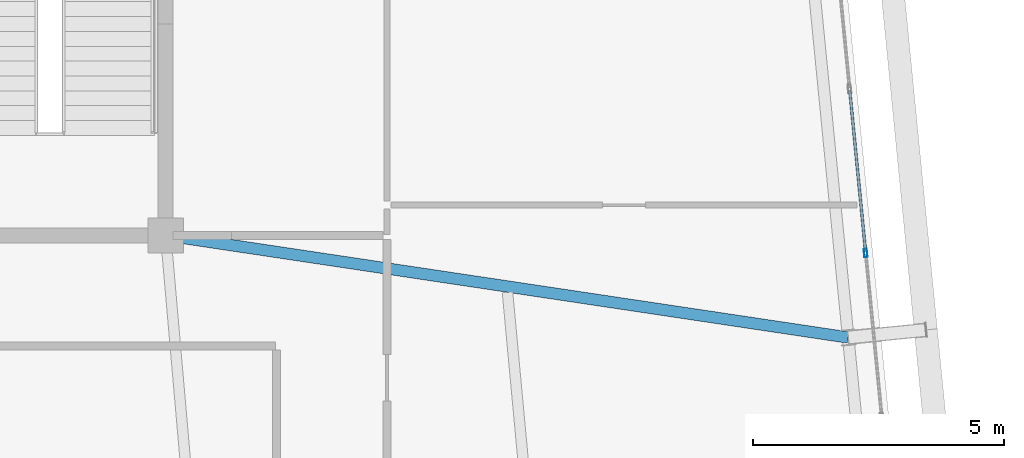
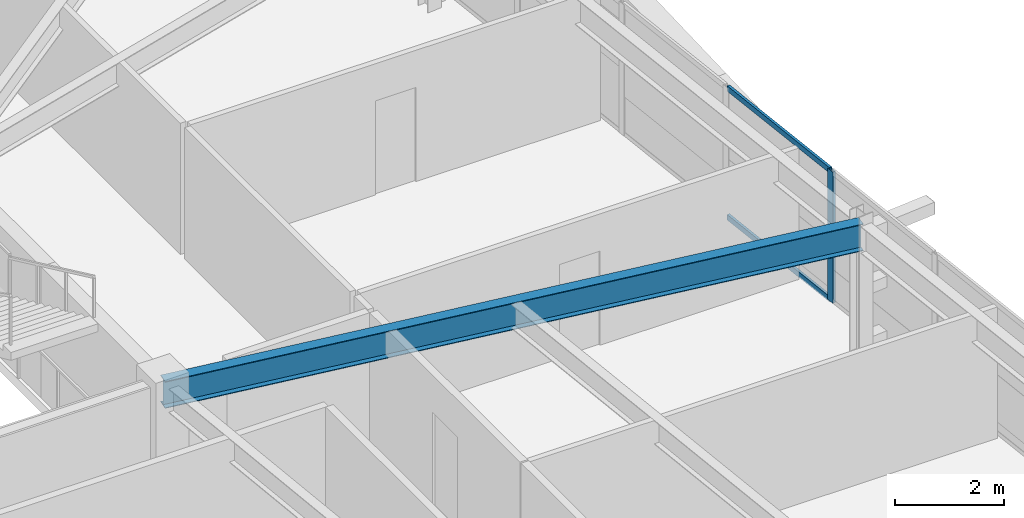
# One storey, part 25 of 52: 3 members, 1 beam, 1 element without a shape of its own.
"""IFC4 building model written with IfcOpenShell, lengths in metres."""

from ifc_helpers import new_model, si_unit, direction, frame, origin, origin_2d, place, context, subcontext, project, spatial, hollow_rectangle, i_section, extrude, source, transform, mapped, material, layer, layer_set, material_profile, profile_set, type_object, element, aggregate, save


model = new_model("IFC4")

# Units and contexts
model_context = context("Model", 3, precision=1e-05, world=origin(), true_north=direction((0.0, 1.0)))
body_context = subcontext(model_context, "Body", "Model", "MODEL_VIEW")
ifc_project = project(units=[si_unit("LENGTHUNIT", "METRE"), si_unit("AREAUNIT", "SQUARE_METRE"), si_unit("VOLUMEUNIT", "CUBIC_METRE"), si_unit("PLANEANGLEUNIT", "RADIAN"), si_unit("MASSUNIT", "GRAM", prefix="KILO")], contexts=[model_context])

# Site, building, storey
site_placement = place(None, origin())
site = spatial("IfcSite", under=ifc_project, at=site_placement, CompositionType="ELEMENT")
building_placement = place(site_placement, origin())
building = spatial("IfcBuilding", under=site, at=building_placement, Name="Taldren Reach Tower", CompositionType="ELEMENT")
storey_placement = place(building_placement, frame((0.0, 0.0, 77.699951171875)))
storey = spatial("IfcBuildingStorey", under=building, at=storey_placement, Name="L23", CompositionType="ELEMENT", Elevation=77.699951171875)

# Beam
ifc_material_1 = material(Name="Steel Gr 350 (350PLUS)", Category="steel")
ifc_material_profile_1 = material_profile(ifc_material_1, i_section(OverallWidth=0.22802734375, OverallDepth=0.60205078125, WebThickness=0.010498046875, FlangeThickness=0.014892578125, at=origin_2d()), Name="610UB101")
ifc_profile_set_1 = profile_set([ifc_material_profile_1], Name="Steel Gr 350 (350PLUS)")
beam_type = type_object("IfcBeamType", Name="BM-UB610B", PredefinedType="BEAM", material=ifc_profile_set_1)
shared_shape_1 = source(origin(), body_context, "Body", "SweptSolid", [
    extrude(i_section(OverallWidth=0.22802734375, OverallDepth=0.60205078125, WebThickness=0.010498046875, FlangeThickness=0.014892578125, at=origin_2d()), origin(), (0.0, 0.0, 1.0), 13.720703125),
])
beam_placement = place(storey_placement, frame((51.0, 24.0, 2.629150390625), z_axis=(0.988983679407, -0.148024598856, 0.0), x_axis=(0.148024598856, 0.988983679407, 0.0)))
element("IfcBeam", 1, at=beam_placement, inside=storey, type_object=beam_type, Name="Primary floor girder B2-E2 L23", PredefinedType="BEAM", context=body_context, shape_type="MappedRepresentation", body=[
    mapped(shared_shape_1, transform((0.0, 0.0, 0.0), scale=1.0)),
])

# Curtain wall, members
ifc_material_2 = material(Name="Aluminium and Low-E Glass Unitised System", Category="aluminium")
ifc_layer = layer(ifc_material_2, 0.159912109375)
ifc_layer_set = layer_set([ifc_layer], Name="Aluminium and Low-E Glass Unitised System")
curtain_wall_type = type_object("IfcCurtainWallType", Name="CW-SYS-3", PredefinedType="NOTDEFINED", material=ifc_layer_set)
curtain_wall_placement = place(storey_placement, origin())
curtain_wall = element("IfcCurtainWall", 2, at=curtain_wall_placement, inside=storey, type_object=curtain_wall_type, Name="Unitised curtain wall CW-L23-E", PredefinedType="NOTDEFINED")
ifc_material_3 = material(Name="Anodised Aluminium 6063-T6", Category="aluminium")
ifc_material_profile_2 = material_profile(ifc_material_3, hollow_rectangle(XDim=0.06494140625, YDim=0.1650390625, WallThickness=0.00390625, at=origin_2d()), Name="ALU-165x65x4RHS")
ifc_profile_set_2 = profile_set([ifc_material_profile_2], Name="Anodised Aluminium 6063-T6")
member_type_1 = type_object("IfcMemberType", Name="CW-MUL-165", PredefinedType="MULLION", material=ifc_profile_set_2)
shared_shape_2 = source(origin(), body_context, "Body", "SweptSolid", [
    extrude(hollow_rectangle(XDim=0.06494140625, YDim=0.1650390625, WallThickness=0.00390625, at=origin_2d()), origin(), (0.0, 0.0, 1.0), 2.929931640625),
])
member_1_placement = place(storey_placement, frame((64.9169921875, 23.649658203125, 0.0), z_axis=(0.0, 0.0, 1.0), x_axis=(-0.99522741555, -0.09758274098, 0.0)))
member_1 = element("IfcMember", 3, at=member_1_placement, type_object=member_type_1, Name="CW-3 mullion 6", PredefinedType="MULLION", context=body_context, shape_type="MappedRepresentation", body=[
    mapped(shared_shape_2, transform((0.0, 0.0, 0.0), scale=1.0)),
])
ifc_material_profile_3 = material_profile(ifc_material_3, hollow_rectangle(XDim=0.054931640625, YDim=0.1201171875, WallThickness=0.0029296875, at=origin_2d()), Name="ALU-120x55x3RHS")
ifc_profile_set_3 = profile_set([ifc_material_profile_3], Name="Anodised Aluminium 6063-T6")
member_type_2 = type_object("IfcMemberType", Name="CW-TRN-135", PredefinedType="USERDEFINED", material=ifc_profile_set_3)
shared_shape_3 = source(origin(), body_context, "Body", "SweptSolid", [
    extrude(hollow_rectangle(XDim=0.054931640625, YDim=0.1201171875, WallThickness=0.0029296875, at=origin_2d()), origin(), (0.0, 0.0, 1.0), 3.212646484375),
])
member_2_placement = place(storey_placement, frame((64.913818359375, 23.68212890625, 0.027587890625), z_axis=(-0.097577327663, 0.995227946315, 0.0), x_axis=(-0.995227946315, -0.097577327663, 0.0)))
member_2 = element("IfcMember", 4, at=member_2_placement, type_object=member_type_2, Name="CW-3 transom 6.1", ObjectType="TRANSOM", PredefinedType="USERDEFINED", context=body_context, shape_type="MappedRepresentation", body=[
    mapped(shared_shape_3, transform((0.0, 0.0, 0.0), scale=1.0)),
])
member_3_placement = place(storey_placement, frame((64.913818359375, 23.68212890625, 2.902587890625), z_axis=(-0.097577327663, 0.995227946315, 0.0), x_axis=(-0.995227946315, -0.097577327663, 0.0)))
member_3 = element("IfcMember", 5, at=member_3_placement, type_object=member_type_2, Name="CW-3 transom 6.2", ObjectType="TRANSOM", PredefinedType="USERDEFINED", context=body_context, shape_type="MappedRepresentation", body=[
    mapped(shared_shape_3, transform((0.0, 0.0, 0.0), scale=1.0)),
])
aggregate(curtain_wall, [member_1, member_2, member_3])

save(model, "model.ifc")
